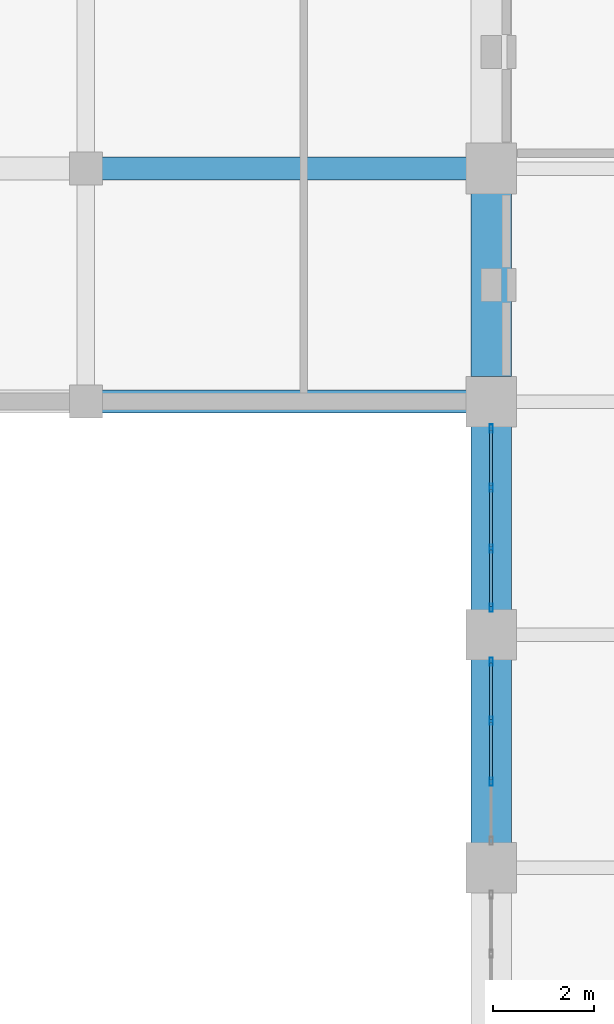
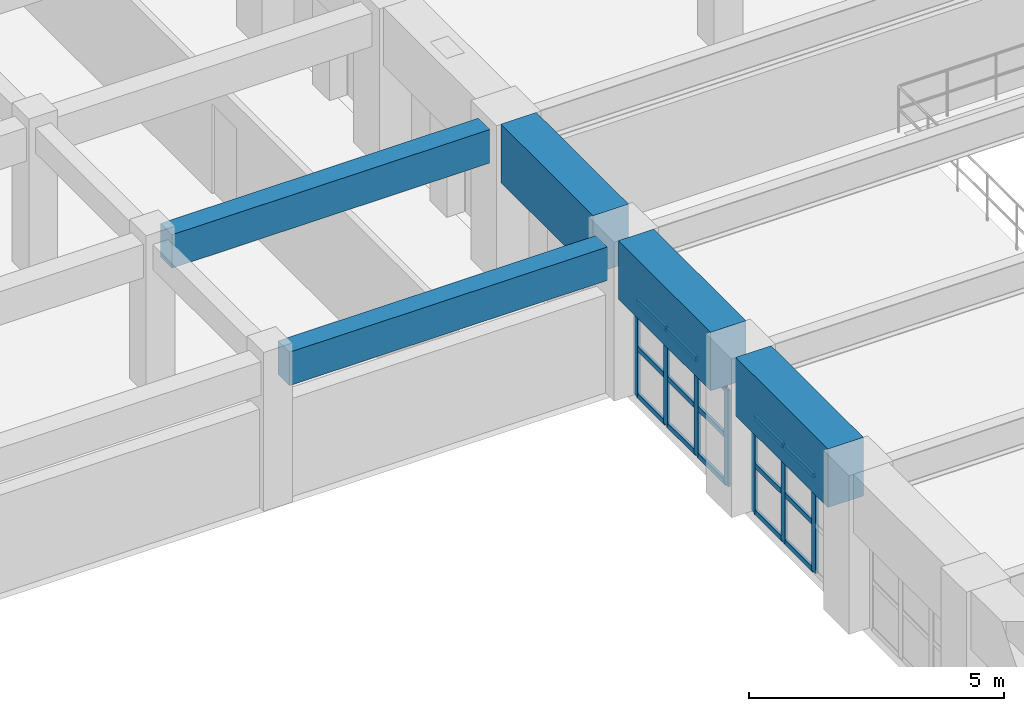
# One storey, part 14 of 74: 22 members, 5 beams, 2 elements without a shape of their own.
"""IFC4 building model written with IfcOpenShell, lengths in metres."""

from ifc_helpers import new_model, si_unit, direction, frame, origin, origin_2d, place, context, subcontext, project, spatial, rectangle, hollow_rectangle, extrude, material, layer, layer_set, material_profile, profile_set, type_object, element, aggregate, save


model = new_model("IFC4")

# Units and contexts
model_context = context("Model", 3, precision=1e-05, world=origin(), true_north=direction((0.0, 1.0)))
body_context = subcontext(model_context, "Body", "Model", "MODEL_VIEW")
ifc_project = project(units=[si_unit("LENGTHUNIT", "METRE"), si_unit("AREAUNIT", "SQUARE_METRE"), si_unit("VOLUMEUNIT", "CUBIC_METRE"), si_unit("PLANEANGLEUNIT", "RADIAN"), si_unit("MASSUNIT", "GRAM", prefix="KILO")], contexts=[model_context])

# Site, building, storey
site_placement = place(None, origin())
site = spatial("IfcSite", under=ifc_project, at=site_placement, CompositionType="ELEMENT")
building_placement = place(site_placement, origin())
building = spatial("IfcBuilding", under=site, at=building_placement, Name="Muzn Square Opera House", CompositionType="ELEMENT")
storey_placement = place(building_placement, frame((0.0, 0.0, 14.199951171875)))
storey = spatial("IfcBuildingStorey", under=building, at=storey_placement, Name="L03", CompositionType="ELEMENT", Elevation=14.199951171875)

# Curtain wall, members
ifc_material_1 = material(Name="Low-E laminated acoustic double glazing", Category="glass")
ifc_layer = layer(ifc_material_1, 0.159912109375, Name="Low-E laminated acoustic double glazing", Category="glass")
ifc_layer_set = layer_set([ifc_layer], Name="Low-E laminated acoustic double glazing")
curtain_wall_type = type_object("IfcCurtainWallType", Name="Glazed Curtain Wall WestVaultCourt 3600x2300", PredefinedType="USERDEFINED", material=ifc_layer_set)
curtain_wall_1_placement = place(storey_placement, origin())
curtain_wall_1 = element("IfcCurtainWall", 1, at=curtain_wall_1_placement, inside=storey, type_object=curtain_wall_type, Name="Glazed Curtain Wall CW-L03-065", ObjectType="GLAZED CURTAIN WALL", PredefinedType="USERDEFINED")
ifc_material_2 = material(Name="Anodised bronze aluminium 6063-T6", Category="metal")
ifc_material_profile_1 = material_profile(ifc_material_2, hollow_rectangle(XDim=0.06005859375, YDim=0.159912109375, WallThickness=0.00390625, at=origin_2d()), Name="ALU 160x60x4", Category="metal")
ifc_profile_set_1 = profile_set([ifc_material_profile_1], Name="Anodised bronze aluminium 6063-T6")
member_type_1 = type_object("IfcMemberType", Name="Curtain Wall Mullion 160x60", PredefinedType="MULLION", material=ifc_profile_set_1)
member_1_placement = place(storey_placement, frame((43.0, 46.699951171875, 0.0), z_axis=(0.0, 0.0, 1.0), x_axis=(-1.0, 0.0, 0.0)))
member_1 = element("IfcMember", 2, at=member_1_placement, type_object=member_type_1, Name="CW-WVC-36x23 mullion 2", PredefinedType="MULLION", context=body_context, shape_type="SweptSolid", body=[
    extrude(hollow_rectangle(XDim=0.06005859375, YDim=0.159912109375, WallThickness=0.00390625, at=origin_2d()), origin(), (0.0, 0.0, 1.0), 2.300048828125),
])
member_2_placement = place(storey_placement, frame((43.0, 47.89990234375, 0.0), z_axis=(0.0, 0.0, 1.0), x_axis=(-1.0, 0.0, 0.0)))
member_2 = element("IfcMember", 3, at=member_2_placement, type_object=member_type_1, Name="CW-WVC-36x23 mullion 3", PredefinedType="MULLION", context=body_context, shape_type="SweptSolid", body=[
    extrude(hollow_rectangle(XDim=0.06005859375, YDim=0.159912109375, WallThickness=0.00390625, at=origin_2d()), origin(), (0.0, 0.0, 1.0), 2.300048828125),
])
member_3_placement = place(storey_placement, frame((43.0, 49.070068359375, 0.0), z_axis=(0.0, 0.0, 1.0), x_axis=(-1.0, 0.0, 0.0)))
member_3 = element("IfcMember", 4, at=member_3_placement, type_object=member_type_1, Name="CW-WVC-36x23 mullion 4", PredefinedType="MULLION", context=body_context, shape_type="SweptSolid", body=[
    extrude(hollow_rectangle(XDim=0.06005859375, YDim=0.159912109375, WallThickness=0.00390625, at=origin_2d()), origin(), (0.0, 0.0, 1.0), 2.300048828125),
])

curtain_wall_2_placement = place(storey_placement, origin())
curtain_wall_2 = element("IfcCurtainWall", 5, at=curtain_wall_2_placement, inside=storey, type_object=curtain_wall_type, Name="Glazed Curtain Wall CW-L03-067", ObjectType="GLAZED CURTAIN WALL", PredefinedType="USERDEFINED")
member_4_placement = place(storey_placement, frame((43.0, 50.1298828125, 0.0), z_axis=(0.0, 0.0, 1.0), x_axis=(-1.0, 0.0, 0.0)))
member_4 = element("IfcMember", 6, at=member_4_placement, type_object=member_type_1, Name="CW-WVC-36x23 mullion 1", PredefinedType="MULLION", context=body_context, shape_type="SweptSolid", body=[
    extrude(hollow_rectangle(XDim=0.06005859375, YDim=0.159912109375, WallThickness=0.00390625, at=origin_2d()), origin(), (0.0, 0.0, 1.0), 2.300048828125),
])
member_5_placement = place(storey_placement, frame((43.0, 51.300048828125, 0.0), z_axis=(0.0, 0.0, 1.0), x_axis=(-1.0, 0.0, 0.0)))
member_5 = element("IfcMember", 7, at=member_5_placement, type_object=member_type_1, Name="CW-WVC-36x23 mullion 2", PredefinedType="MULLION", context=body_context, shape_type="SweptSolid", body=[
    extrude(hollow_rectangle(XDim=0.06005859375, YDim=0.159912109375, WallThickness=0.00390625, at=origin_2d()), origin(), (0.0, 0.0, 1.0), 2.300048828125),
])
member_6_placement = place(storey_placement, frame((43.0, 52.5, 0.0), z_axis=(0.0, 0.0, 1.0), x_axis=(-1.0, 0.0, 0.0)))
member_6 = element("IfcMember", 8, at=member_6_placement, type_object=member_type_1, Name="CW-WVC-36x23 mullion 3", PredefinedType="MULLION", context=body_context, shape_type="SweptSolid", body=[
    extrude(hollow_rectangle(XDim=0.06005859375, YDim=0.159912109375, WallThickness=0.00390625, at=origin_2d()), origin(), (0.0, 0.0, 1.0), 2.300048828125),
])
member_7_placement = place(storey_placement, frame((43.0, 53.669921875, 0.0), z_axis=(0.0, 0.0, 1.0), x_axis=(-1.0, 0.0, 0.0)))
member_7 = element("IfcMember", 9, at=member_7_placement, type_object=member_type_1, Name="CW-WVC-36x23 mullion 4", PredefinedType="MULLION", context=body_context, shape_type="SweptSolid", body=[
    extrude(hollow_rectangle(XDim=0.06005859375, YDim=0.159912109375, WallThickness=0.00390625, at=origin_2d()), origin(), (0.0, 0.0, 1.0), 2.300048828125),
])

# Member
ifc_material_profile_2 = material_profile(ifc_material_2, hollow_rectangle(XDim=0.06005859375, YDim=0.1201171875, WallThickness=0.00390625, at=origin_2d()), Name="ALU 120x60x4", Category="metal")
ifc_profile_set_2 = profile_set([ifc_material_profile_2], Name="Anodised bronze aluminium 6063-T6")
member_type_2 = type_object("IfcMemberType", Name="Curtain Wall Transom 120x60", PredefinedType="USERDEFINED", material=ifc_profile_set_2)
member_8_placement = place(storey_placement, frame((43.0, 46.72998046875, 0.030029296875), z_axis=(0.0, 1.0, 0.0), x_axis=(-1.0, 0.0, 0.0)))
member_8 = element("IfcMember", 10, at=member_8_placement, type_object=member_type_2, Name="CW-WVC-36x23 transom 2.1", ObjectType="TRANSOM", PredefinedType="USERDEFINED", context=body_context, shape_type="SweptSolid", body=[
    extrude(hollow_rectangle(XDim=0.06005859375, YDim=0.1201171875, WallThickness=0.00390625, at=origin_2d()), origin(), (0.0, 0.0, 1.0), 1.14013671875),
])

member_9_placement = place(storey_placement, frame((43.0, 46.72998046875, 1.150146484375), z_axis=(0.0, 1.0, 0.0), x_axis=(-1.0, 0.0, 0.0)))
member_9 = element("IfcMember", 11, at=member_9_placement, type_object=member_type_2, Name="CW-WVC-36x23 transom 2.2", ObjectType="TRANSOM", PredefinedType="USERDEFINED", context=body_context, shape_type="SweptSolid", body=[
    extrude(hollow_rectangle(XDim=0.06005859375, YDim=0.1201171875, WallThickness=0.00390625, at=origin_2d()), origin(), (0.0, 0.0, 1.0), 1.14013671875),
])

member_10_placement = place(storey_placement, frame((43.0, 46.72998046875, 2.27001953125), z_axis=(0.0, 1.0, 0.0), x_axis=(-1.0, 0.0, 0.0)))
member_10 = element("IfcMember", 12, at=member_10_placement, type_object=member_type_2, Name="CW-WVC-36x23 transom 2.3", ObjectType="TRANSOM", PredefinedType="USERDEFINED", context=body_context, shape_type="SweptSolid", body=[
    extrude(hollow_rectangle(XDim=0.06005859375, YDim=0.1201171875, WallThickness=0.00390625, at=origin_2d()), origin(), (0.0, 0.0, 1.0), 1.14013671875),
])

member_11_placement = place(storey_placement, frame((43.0, 47.929931640625, 0.030029296875), z_axis=(0.0, 1.0, 0.0), x_axis=(-1.0, 0.0, 0.0)))
member_11 = element("IfcMember", 13, at=member_11_placement, type_object=member_type_2, Name="CW-WVC-36x23 transom 3.1", ObjectType="TRANSOM", PredefinedType="USERDEFINED", context=body_context, shape_type="SweptSolid", body=[
    extrude(hollow_rectangle(XDim=0.06005859375, YDim=0.1201171875, WallThickness=0.00390625, at=origin_2d()), origin(), (0.0, 0.0, 1.0), 1.110107421875),
])

member_12_placement = place(storey_placement, frame((43.0, 47.929931640625, 1.150146484375), z_axis=(0.0, 1.0, 0.0), x_axis=(-1.0, 0.0, 0.0)))
member_12 = element("IfcMember", 14, at=member_12_placement, type_object=member_type_2, Name="CW-WVC-36x23 transom 3.2", ObjectType="TRANSOM", PredefinedType="USERDEFINED", context=body_context, shape_type="SweptSolid", body=[
    extrude(hollow_rectangle(XDim=0.06005859375, YDim=0.1201171875, WallThickness=0.00390625, at=origin_2d()), origin(), (0.0, 0.0, 1.0), 1.110107421875),
])

member_13_placement = place(storey_placement, frame((43.0, 47.929931640625, 2.27001953125), z_axis=(0.0, 1.0, 0.0), x_axis=(-1.0, 0.0, 0.0)))
member_13 = element("IfcMember", 15, at=member_13_placement, type_object=member_type_2, Name="CW-WVC-36x23 transom 3.3", ObjectType="TRANSOM", PredefinedType="USERDEFINED", context=body_context, shape_type="SweptSolid", body=[
    extrude(hollow_rectangle(XDim=0.06005859375, YDim=0.1201171875, WallThickness=0.00390625, at=origin_2d()), origin(), (0.0, 0.0, 1.0), 1.110107421875),
])

aggregate(curtain_wall_1, [member_1, member_2, member_3, member_8, member_9, member_10, member_11, member_12, member_13])

member_14_placement = place(storey_placement, frame((43.0, 50.159912109375, 0.030029296875), z_axis=(0.0, 1.0, 0.0), x_axis=(-1.0, 0.0, 0.0)))
member_14 = element("IfcMember", 16, at=member_14_placement, type_object=member_type_2, Name="CW-WVC-36x23 transom 1.1", ObjectType="TRANSOM", PredefinedType="USERDEFINED", context=body_context, shape_type="SweptSolid", body=[
    extrude(hollow_rectangle(XDim=0.06005859375, YDim=0.1201171875, WallThickness=0.00390625, at=origin_2d()), origin(), (0.0, 0.0, 1.0), 1.110107421875),
])

member_15_placement = place(storey_placement, frame((43.0, 50.159912109375, 1.150146484375), z_axis=(0.0, 1.0, 0.0), x_axis=(-1.0, 0.0, 0.0)))
member_15 = element("IfcMember", 17, at=member_15_placement, type_object=member_type_2, Name="CW-WVC-36x23 transom 1.2", ObjectType="TRANSOM", PredefinedType="USERDEFINED", context=body_context, shape_type="SweptSolid", body=[
    extrude(hollow_rectangle(XDim=0.06005859375, YDim=0.1201171875, WallThickness=0.00390625, at=origin_2d()), origin(), (0.0, 0.0, 1.0), 1.110107421875),
])

member_16_placement = place(storey_placement, frame((43.0, 50.159912109375, 2.27001953125), z_axis=(0.0, 1.0, 0.0), x_axis=(-1.0, 0.0, 0.0)))
member_16 = element("IfcMember", 18, at=member_16_placement, type_object=member_type_2, Name="CW-WVC-36x23 transom 1.3", ObjectType="TRANSOM", PredefinedType="USERDEFINED", context=body_context, shape_type="SweptSolid", body=[
    extrude(hollow_rectangle(XDim=0.06005859375, YDim=0.1201171875, WallThickness=0.00390625, at=origin_2d()), origin(), (0.0, 0.0, 1.0), 1.110107421875),
])

member_17_placement = place(storey_placement, frame((43.0, 51.330078125, 0.030029296875), z_axis=(0.0, 1.0, 0.0), x_axis=(-1.0, 0.0, 0.0)))
member_17 = element("IfcMember", 19, at=member_17_placement, type_object=member_type_2, Name="CW-WVC-36x23 transom 2.1", ObjectType="TRANSOM", PredefinedType="USERDEFINED", context=body_context, shape_type="SweptSolid", body=[
    extrude(hollow_rectangle(XDim=0.06005859375, YDim=0.1201171875, WallThickness=0.00390625, at=origin_2d()), origin(), (0.0, 0.0, 1.0), 1.139892578125),
])

member_18_placement = place(storey_placement, frame((43.0, 51.330078125, 1.150146484375), z_axis=(0.0, 1.0, 0.0), x_axis=(-1.0, 0.0, 0.0)))
member_18 = element("IfcMember", 20, at=member_18_placement, type_object=member_type_2, Name="CW-WVC-36x23 transom 2.2", ObjectType="TRANSOM", PredefinedType="USERDEFINED", context=body_context, shape_type="SweptSolid", body=[
    extrude(hollow_rectangle(XDim=0.06005859375, YDim=0.1201171875, WallThickness=0.00390625, at=origin_2d()), origin(), (0.0, 0.0, 1.0), 1.139892578125),
])

member_19_placement = place(storey_placement, frame((43.0, 51.330078125, 2.27001953125), z_axis=(0.0, 1.0, 0.0), x_axis=(-1.0, 0.0, 0.0)))
member_19 = element("IfcMember", 21, at=member_19_placement, type_object=member_type_2, Name="CW-WVC-36x23 transom 2.3", ObjectType="TRANSOM", PredefinedType="USERDEFINED", context=body_context, shape_type="SweptSolid", body=[
    extrude(hollow_rectangle(XDim=0.06005859375, YDim=0.1201171875, WallThickness=0.00390625, at=origin_2d()), origin(), (0.0, 0.0, 1.0), 1.139892578125),
])

member_20_placement = place(storey_placement, frame((43.0, 52.530029296875, 0.030029296875), z_axis=(0.0, 1.0, 0.0), x_axis=(-1.0, 0.0, 0.0)))
member_20 = element("IfcMember", 22, at=member_20_placement, type_object=member_type_2, Name="CW-WVC-36x23 transom 3.1", ObjectType="TRANSOM", PredefinedType="USERDEFINED", context=body_context, shape_type="SweptSolid", body=[
    extrude(hollow_rectangle(XDim=0.06005859375, YDim=0.1201171875, WallThickness=0.00390625, at=origin_2d()), origin(), (0.0, 0.0, 1.0), 1.10986328125),
])

member_21_placement = place(storey_placement, frame((43.0, 52.530029296875, 1.150146484375), z_axis=(0.0, 1.0, 0.0), x_axis=(-1.0, 0.0, 0.0)))
member_21 = element("IfcMember", 23, at=member_21_placement, type_object=member_type_2, Name="CW-WVC-36x23 transom 3.2", ObjectType="TRANSOM", PredefinedType="USERDEFINED", context=body_context, shape_type="SweptSolid", body=[
    extrude(hollow_rectangle(XDim=0.06005859375, YDim=0.1201171875, WallThickness=0.00390625, at=origin_2d()), origin(), (0.0, 0.0, 1.0), 1.10986328125),
])

member_22_placement = place(storey_placement, frame((43.0, 52.530029296875, 2.27001953125), z_axis=(0.0, 1.0, 0.0), x_axis=(-1.0, 0.0, 0.0)))
member_22 = element("IfcMember", 24, at=member_22_placement, type_object=member_type_2, Name="CW-WVC-36x23 transom 3.3", ObjectType="TRANSOM", PredefinedType="USERDEFINED", context=body_context, shape_type="SweptSolid", body=[
    extrude(hollow_rectangle(XDim=0.06005859375, YDim=0.1201171875, WallThickness=0.00390625, at=origin_2d()), origin(), (0.0, 0.0, 1.0), 1.10986328125),
])

aggregate(curtain_wall_2, [member_4, member_5, member_6, member_7, member_14, member_15, member_16, member_17, member_18, member_19, member_20, member_21, member_22])

# Beams
ifc_material_3 = material(Name="Concrete C40/50", Category="concrete")
ifc_material_profile_3 = material_profile(ifc_material_3, rectangle(XDim=0.449951171875, YDim=0.800048828125, at=origin_2d()), Name="RCB 450x800", Category="concrete")
ifc_profile_set_3 = profile_set([ifc_material_profile_3], Name="Concrete C40/50")
beam_type_1 = type_object("IfcBeamType", Name="Primary Girder 450x800", PredefinedType="BEAM", material=ifc_profile_set_3)
for number, where, z_axis, x_axis, name in (
    (25, (35.31689453125, 54.199951171875, 3.1201171875), (1.0, 0.0, 0.0), (0.0, 1.0, 0.0), "Primary Girder BM-L03-BM-PG800-353_542_425_542-2453"),
    (26, (35.31689453125, 58.800048828125, 3.14013671875), (1.0, 0.0, 0.0), (0.0, 1.0, 0.0), "Primary Girder BM-L03-BM-PG800-353_588_425_588-2459"),
):
    element("IfcBeam", number, at=place(storey_placement, frame(where, z_axis=z_axis, x_axis=x_axis)), inside=storey, type_object=beam_type_1, Name=name, PredefinedType="BEAM", context=body_context, shape_type="SweptSolid", body=[
        extrude(rectangle(XDim=0.449951171875, YDim=0.800048828125, at=origin_2d()), origin(), (0.0, 0.0, 1.0), 7.191162109375),
    ])
ifc_material_4 = material(Name="Concrete C45/55", Category="concrete")
ifc_material_profile_4 = material_profile(ifc_material_4, rectangle(XDim=0.800048828125, YDim=1.39990234375, at=origin_2d()), Name="RCB 800x1400", Category="concrete")
ifc_profile_set_4 = profile_set([ifc_material_profile_4], Name="Concrete C45/55")
beam_type_2 = type_object("IfcBeamType", Name="Vault Springing Girder 800x1400", PredefinedType="BEAM", material=ifc_profile_set_4)
for number, where, z_axis, x_axis, name in (
    (27, (43.0, 45.491943359375, 3.10009765625), (0.0, 1.0, 0.0), (-1.0, 0.0, 0.0), "Vault Springing Girder BM-L03-BM-VS1400-430_455_430_491-2546"),
    (28, (43.0, 50.092041015625, 3.10009765625), (0.0, 1.0, 0.0), (-1.0, 0.0, 0.0), "Vault Springing Girder BM-L03-BM-VS1400-430_501_430_537-2547"),
):
    element("IfcBeam", number, at=place(storey_placement, frame(where, z_axis=z_axis, x_axis=x_axis)), inside=storey, type_object=beam_type_2, Name=name, PredefinedType="BEAM", context=body_context, shape_type="SweptSolid", body=[
        extrude(rectangle(XDim=0.800048828125, YDim=1.39990234375, at=origin_2d()), origin(), (0.0, 0.0, 1.0), 3.615966796875),
    ])
beam_placement = place(storey_placement, frame((43.0, 54.69189453125, 3.10009765625), z_axis=(0.0, 1.0, 0.0), x_axis=(-1.0, 0.0, 0.0)))
element("IfcBeam", 29, at=beam_placement, inside=storey, type_object=beam_type_2, Name="Vault Springing Girder BM-L03-BM-VS1400-430_547_430_583-2548", PredefinedType="BEAM", context=body_context, shape_type="SweptSolid", body=[
    extrude(rectangle(XDim=0.800048828125, YDim=1.39990234375, at=origin_2d()), origin(), (0.0, 0.0, 1.0), 3.6162109375),
])

save(model, "model.ifc")
